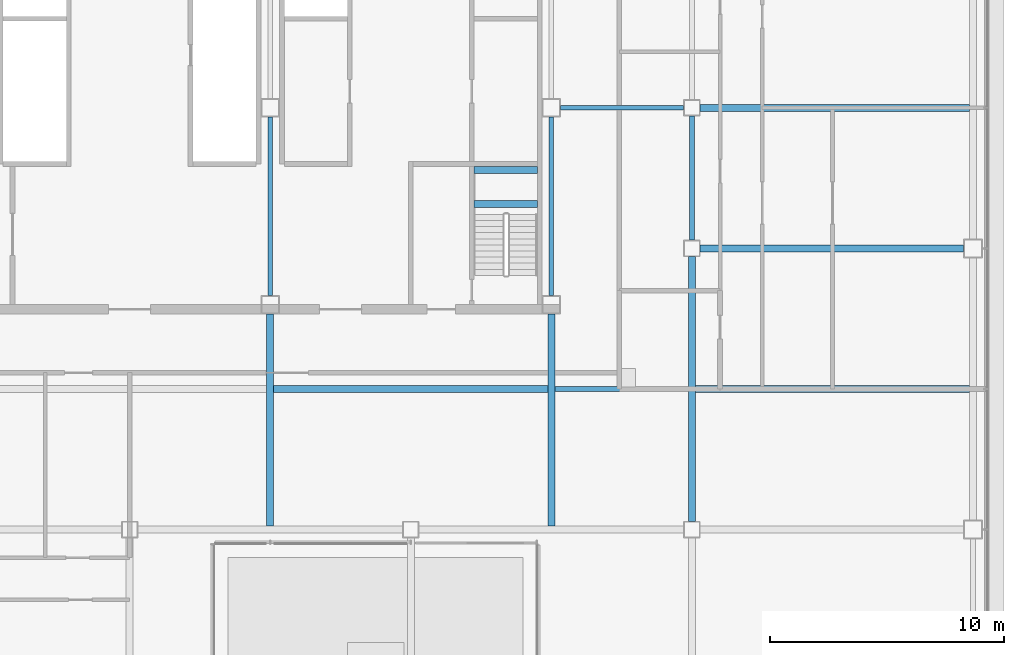
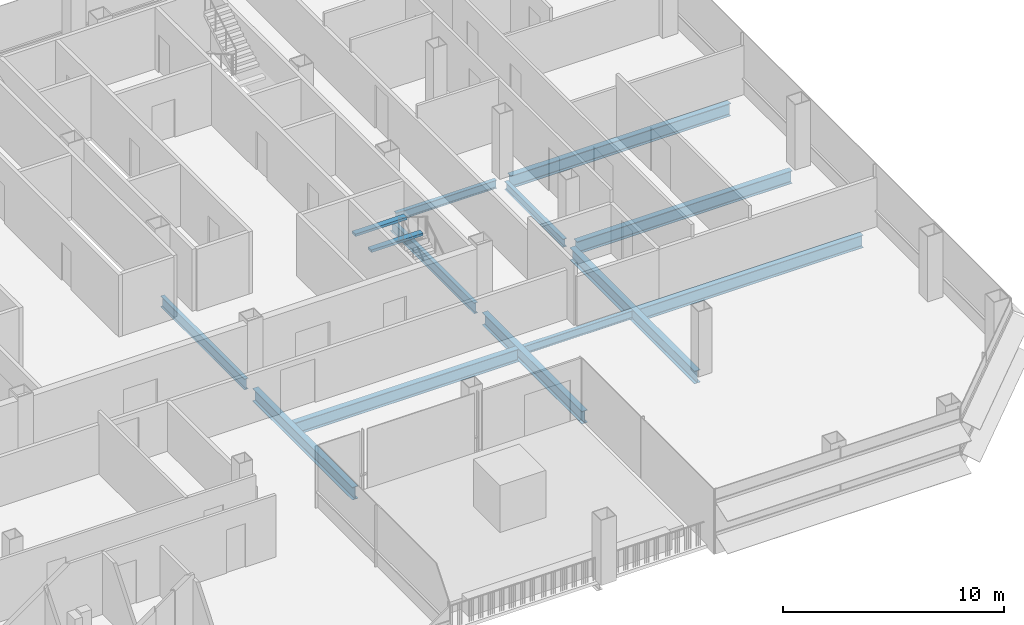
# One storey, part 9 of 26: 14 beams.
"""IFC4 building model written with IfcOpenShell, lengths in metres."""

import ifcopenshell
import ifcopenshell.guid

model = None  # the IFC model being written
_history = None  # IfcOwnerHistory: only IFC2X3 demands one
_inside = {}  # id of a spatial element -> (the spatial element, [elements in it])
_under = {}  # id of a project, library or spatial element -> (it, [spatial elements below it])
_declared = {}  # id of a project -> (the project, [libraries it declares])
_typed = {}  # id of a type object -> (the type object, [elements of that type])
_made_of = {}  # id of a material, layer set ... -> (it, [elements and type objects made of it])


def new_model(schema):
    """Start an empty IFC model of exactly this schema.

    Asked for "IFC4X3", IfcOpenShell would pick the latest addendum, in which some entities
    have other attributes; the version numbers below select the first issue.
    IFC2X3 requires an IfcOwnerHistory on every rooted entity: one is made here for all.
    """
    global model, _history
    if schema == "IFC4X3":
        model = ifcopenshell.file(schema_version=(4, 3, 0, 0))
    else:
        model = ifcopenshell.file(schema=schema)
    _inside.clear()
    _under.clear()
    _declared.clear()
    _typed.clear()
    _made_of.clear()
    _history = None
    if model.schema == "IFC2X3":
        org = make("IfcOrganization", Name="unknown")
        user = make(
            "IfcPersonAndOrganization",
            ThePerson=make("IfcPerson", FamilyName="unknown"),
            TheOrganization=org,
        )
        app = make(
            "IfcApplication",
            ApplicationDeveloper=org,
            Version="unknown",
            ApplicationFullName="unknown",
            ApplicationIdentifier="unknown",
        )
        _history = make(
            "IfcOwnerHistory",
            OwningUser=user,
            OwningApplication=app,
            ChangeAction="ADDED",
            CreationDate=0,
        )
    return model


def make(cls, **values):
    """One entity of the class cls with the attributes given. An attribute that is None is left unset."""
    return model.create_entity(
        cls, **{name: value for name, value in values.items() if value is not None}
    )


def rooted(cls, **values):
    """An entity with a GlobalId (a new one), such as an element, a storey or a relation."""
    return make(cls, GlobalId=ifcopenshell.guid.new(), OwnerHistory=_history, **values)


def si_unit(unit_type, name, prefix=None):
    """IfcSIUnit, for example si_unit("LENGTHUNIT", "METRE", prefix="MILLI")."""
    return make("IfcSIUnit", UnitType=unit_type, Prefix=prefix, Name=name)


def assignment(units):
    """IfcUnitAssignment: the units of a project."""
    return None if units is None else make("IfcUnitAssignment", Units=units)


def point(xyz):
    """IfcCartesianPoint."""
    return None if xyz is None else make("IfcCartesianPoint", Coordinates=xyz)


def direction(xyz):
    """IfcDirection."""
    return None if xyz is None else make("IfcDirection", DirectionRatios=xyz)


def frame(location, z_axis=None, x_axis=None):
    """IfcAxis2Placement3D, a coordinate frame: its origin and axes. An axis left out is left unset."""
    return make(
        "IfcAxis2Placement3D",
        Location=point(location),
        Axis=direction(z_axis),
        RefDirection=direction(x_axis),
    )


def frame_2d(location, x_axis=None):
    """IfcAxis2Placement2D, a coordinate frame in the plane: its origin and x axis."""
    return make(
        "IfcAxis2Placement2D", Location=point(location), RefDirection=direction(x_axis)
    )


def origin():
    """The frame at (0, 0, 0) with its axes left unset."""
    return frame((0.0, 0.0, 0.0))


def origin_2d():
    """The frame at (0, 0) in the plane with its x axis left unset."""
    return frame_2d((0.0, 0.0))


def place(relative_to, where):
    """IfcLocalPlacement: puts the frame where relative to a parent placement (None: the world)."""
    return make(
        "IfcLocalPlacement", PlacementRelTo=relative_to, RelativePlacement=where
    )


def context(
    kind, dimensions, precision=None, world=None, true_north=None, identifier=None
):
    """IfcGeometricRepresentationContext, for example the 3D "Model" context."""
    return make(
        "IfcGeometricRepresentationContext",
        ContextIdentifier=identifier,
        ContextType=kind,
        CoordinateSpaceDimension=dimensions,
        Precision=precision,
        WorldCoordinateSystem=world,
        TrueNorth=true_north,
    )


def subcontext(parent, identifier, kind, view, scale=None):
    """IfcGeometricRepresentationSubContext, for example "Body" below "Model"."""
    return make(
        "IfcGeometricRepresentationSubContext",
        ContextIdentifier=identifier,
        ContextType=kind,
        ParentContext=parent,
        TargetScale=scale,
        TargetView=view,
    )


def project(units=None, contexts=None):
    """IfcProject with its units and contexts."""
    return rooted(
        "IfcProject",
        Name="project",
        RepresentationContexts=contexts,
        UnitsInContext=assignment(units),
    )


def spatial(cls, under=None, at=None, **own):
    """A site, building, storey or space (cls), placed at a placement, below another one or the project."""
    s = rooted(cls, ObjectPlacement=at, **own)
    if under is not None:
        _under.setdefault(under.id(), (under, []))[1].append(s)
    return s


def profile(cls, at=None, kind="AREA", **sizes):
    """A parametric profile (cls). Its sizes go by their IFC names, for example OverallWidth=200.0."""
    return make(cls, ProfileType=kind, Position=at, **sizes)


def rectangle(**sizes):
    """IfcRectangleProfileDef."""
    return profile("IfcRectangleProfileDef", **sizes)


def i_section(**sizes):
    """IfcIShapeProfileDef."""
    return profile("IfcIShapeProfileDef", **sizes)


def extrude(swept, where, along, depth):
    """IfcExtrudedAreaSolid: the profile swept, set in the frame where, extruded along a direction by depth."""
    return make(
        "IfcExtrudedAreaSolid",
        SweptArea=swept,
        Position=where,
        ExtrudedDirection=direction(along),
        Depth=depth,
    )


def shape(context_of_items, identifier, shape_type, items):
    """IfcShapeRepresentation: the items that make up one representation, for example the "Body"."""
    return make(
        "IfcShapeRepresentation",
        ContextOfItems=context_of_items,
        RepresentationIdentifier=identifier,
        RepresentationType=shape_type,
        Items=items,
    )


def material(Name=None, Category=None):
    """IfcMaterial."""
    return make("IfcMaterial", Name=Name, Category=Category)


def material_profile(
    of_material, cross_section, Name=None, Category=None, Priority=None
):
    """IfcMaterialProfile: a cross section and its material."""
    return make(
        "IfcMaterialProfile",
        Name=Name,
        Material=of_material,
        Profile=cross_section,
        Priority=Priority,
        Category=Category,
    )


def profile_set(profiles, Name=None, composite=None):
    """IfcMaterialProfileSet."""
    return make(
        "IfcMaterialProfileSet",
        Name=Name,
        MaterialProfiles=profiles,
        CompositeProfile=composite,
    )


def made_of(thing, what):
    """Note that an element or type object is made of a material, layer set ...; save() writes the relation."""
    if what is not None:
        _made_of.setdefault(what.id(), (what, []))[1].append(thing)
    return thing


def type_object(cls, material=None, **own):
    """A type object (cls), such as IfcWallType, which elements share."""
    return made_of(rooted(cls, **own), material)


def element(
    cls,
    number,
    at=None,
    inside=None,
    cuts=None,
    type_object=None,
    material=None,
    context=None,
    identifier="Body",
    shape_type=None,
    held_by="IfcProductDefinitionShape",
    body=None,
    shapes=None,
    **own,
):
    """One element of the class cls, such as IfcWall. Its Tag is "e" and its number.

    at: its placement. inside: the storey or other place that contains it. cuts: it is an
    opening in that element (IfcRelVoidsElement). A single representation is given by context,
    identifier, shape_type and body (its items); several are given by shapes. held_by: the class
    of the entity that holds the representations. save() writes the other relations.
    """
    e = rooted(cls, Tag="e%d" % number, ObjectPlacement=at, **own)
    if body is not None:
        shapes = [shape(context, identifier, shape_type, body)]
    if shapes is not None:
        e.Representation = make(held_by, Representations=shapes)
    if inside is not None:
        _inside.setdefault(inside.id(), (inside, []))[1].append(e)
    if cuts is not None:
        rooted(
            "IfcRelVoidsElement", RelatingBuildingElement=cuts, RelatedOpeningElement=e
        )
    if type_object is not None:
        _typed.setdefault(type_object.id(), (type_object, []))[1].append(e)
    return made_of(e, material)


def aggregate(whole, parts):
    """IfcRelAggregates: a whole, such as a stair, and the parts it consists of."""
    return rooted("IfcRelAggregates", RelatingObject=whole, RelatedObjects=parts)


def save(model, path):
    """Write the relations noted so far, then the file.

    IfcRelAggregates (storeys below a building ...), IfcRelContainedInSpatialStructure (elements
    in a storey), IfcRelDefinesByType, IfcRelAssociatesMaterial and IfcRelDeclares: one each for
    every whole, place, type object, material and project.
    """
    for whole, parts in _under.values():
        aggregate(whole, parts)
    for where, things in _inside.values():
        rooted(
            "IfcRelContainedInSpatialStructure",
            RelatedElements=things,
            RelatingStructure=where,
        )
    for kind, things in _typed.values():
        rooted("IfcRelDefinesByType", RelatedObjects=things, RelatingType=kind)
    for what, things in _made_of.values():
        rooted("IfcRelAssociatesMaterial", RelatedObjects=things, RelatingMaterial=what)
    for by, libraries in _declared.values():
        rooted("IfcRelDeclares", RelatingContext=by, RelatedDefinitions=libraries)
    model.write(path)


model = new_model("IFC4")

# Units and contexts
model_context = context("Model", 3, precision=1e-05, world=origin(), true_north=direction((0.0, 1.0)))
body_context = subcontext(model_context, "Body", "Model", "MODEL_VIEW")
ifc_project = project(units=[si_unit("LENGTHUNIT", "METRE"), si_unit("AREAUNIT", "SQUARE_METRE"), si_unit("VOLUMEUNIT", "CUBIC_METRE"), si_unit("PLANEANGLEUNIT", "RADIAN"), si_unit("MASSUNIT", "GRAM", prefix="KILO")], contexts=[model_context])

# Site, building, storey
site_placement = place(None, origin())
site = spatial("IfcSite", under=ifc_project, at=site_placement, CompositionType="ELEMENT")
building_placement = place(site_placement, origin())
building = spatial("IfcBuilding", under=site, at=building_placement, Name="Sorahane Residences", CompositionType="ELEMENT")
storey_placement = place(building_placement, frame((0.0, 0.0, 103.39990234375)))
storey = spatial("IfcBuildingStorey", under=building, at=storey_placement, Name="L22", CompositionType="ELEMENT", Elevation=103.39990234375)

# Beams
ifc_material_1 = material(Name="Concrete C40", Category="concrete")
ifc_material_profile_1 = material_profile(ifc_material_1, rectangle(XDim=0.300048828125, YDim=0.139892578125, at=origin_2d()), Name="300x140")
ifc_profile_set_1 = profile_set([ifc_material_profile_1], Name="Concrete C40")
beam_type_1 = type_object("IfcBeamType", Name="RC landing beam 300 x 140 Concrete C40", PredefinedType="BEAM", material=ifc_profile_set_1)
for number, where, z_axis, x_axis, name in (
    (1, (38.699951171875, 25.89990234375, 1.530029296875), (1.0, 0.0, 0.0), (0.0, 1.0, 0.0), "Landing beam"),
    (2, (38.699951171875, 27.35009765625, 1.530029296875), (1.0, 0.0, 0.0), (0.0, 1.0, 0.0), "Landing beam"),
):
    element("IfcBeam", number, at=place(storey_placement, frame(where, z_axis=z_axis, x_axis=x_axis)), inside=storey, type_object=beam_type_1, Name=name, PredefinedType="BEAM", context=body_context, shape_type="SweptSolid", body=[
        extrude(rectangle(XDim=0.300048828125, YDim=0.139892578125, at=origin_2d()), origin(), (0.0, 0.0, 1.0), 2.699951171875),
    ])
ifc_material_2 = material(Name="Steel Q355B", Category="steel")
ifc_material_profile_2 = material_profile(ifc_material_2, i_section(OverallWidth=0.199951171875, OverallDepth=0.449951171875, WebThickness=0.009033203125, FlangeThickness=0.013916015625, FilletRadius=0.02001953125, at=origin_2d()), Name="HN 450x200x9x14")
ifc_profile_set_2 = profile_set([ifc_material_profile_2], Name="Steel Q355B")
beam_type_2 = type_object("IfcBeamType", Name="Steel floor beam HN 450x200x9x14 Q355B", PredefinedType="BEAM", material=ifc_profile_set_2)
beam_1_placement = place(storey_placement, frame((48.0, 24.35009765625, -0.40478515625), z_axis=(0.0, 1.0, 0.0), x_axis=(-1.0, 0.0, 0.0)))
element("IfcBeam", 3, at=beam_1_placement, inside=storey, type_object=beam_type_2, Name="Beam L22 057", PredefinedType="BEAM", context=body_context, shape_type="SweptSolid", body=[
    extrude(i_section(OverallWidth=0.199951171875, OverallDepth=0.449951171875, WebThickness=0.009033203125, FlangeThickness=0.013916015625, FilletRadius=0.02001953125, at=origin_2d()), origin(), (0.0, 0.0, 1.0), 5.2998046875),
])
beam_2_placement = place(storey_placement, frame((42.14990234375, 18.0, -0.40478515625), z_axis=(1.0, 0.0, 0.0), x_axis=(0.0, 1.0, 0.0)))
element("IfcBeam", 4, at=beam_2_placement, inside=storey, type_object=beam_type_2, Name="Beam L22 078", PredefinedType="BEAM", context=body_context, shape_type="SweptSolid", body=[
    extrude(i_section(OverallWidth=0.199951171875, OverallDepth=0.449951171875, WebThickness=0.009033203125, FlangeThickness=0.013916015625, FilletRadius=0.02001953125, at=origin_2d()), origin(), (0.0, 0.0, 1.0), 5.7001953125),
])
beam_3_placement = place(storey_placement, frame((42.39990234375, 30.0, -0.40478515625), z_axis=(1.0, 0.0, 0.0), x_axis=(0.0, 1.0, 0.0)))
element("IfcBeam", 5, at=beam_3_placement, inside=storey, type_object=beam_type_2, Name="Beam L22 082", PredefinedType="BEAM", context=body_context, shape_type="SweptSolid", body=[
    extrude(i_section(OverallWidth=0.199951171875, OverallDepth=0.449951171875, WebThickness=0.009033203125, FlangeThickness=0.013916015625, FilletRadius=0.02001953125, at=origin_2d()), origin(), (0.0, 0.0, 1.0), 5.25),
])
ifc_material_3 = material(Name="Steel Q355B", Category="steel")
ifc_material_profile_3 = material_profile(ifc_material_3, i_section(OverallWidth=0.199951171875, OverallDepth=0.60009765625, WebThickness=0.010986328125, FlangeThickness=0.01708984375, FilletRadius=0.02392578125, at=origin_2d()), Name="HN 600x200x11x17")
ifc_profile_set_3 = profile_set([ifc_material_profile_3], Name="Steel Q355B")
beam_type_3 = type_object("IfcBeamType", Name="Steel floor beam HN 600x200x11x17 Q355B", PredefinedType="BEAM", material=ifc_profile_set_3)
for number, where, z_axis, x_axis, name in (
    (6, (30.0, 22.0, -0.47998046875), (0.0, 1.0, 0.0), (-1.0, 0.0, 0.0), "Beam L22 044"),
    (7, (42.0, 22.0, -0.47998046875), (0.0, 1.0, 0.0), (-1.0, 0.0, 0.0), "Beam L22 051"),
):
    element("IfcBeam", number, at=place(storey_placement, frame(where, z_axis=z_axis, x_axis=x_axis)), inside=storey, type_object=beam_type_3, Name=name, PredefinedType="BEAM", context=body_context, shape_type="SweptSolid", body=[
        extrude(i_section(OverallWidth=0.199951171875, OverallDepth=0.60009765625, WebThickness=0.010986328125, FlangeThickness=0.01708984375, FilletRadius=0.02392578125, at=origin_2d()), origin(), (0.0, 0.0, 1.0), 7.60009765625),
    ])
ifc_material_4 = material(Name="Steel Q355B", Category="steel")
ifc_material_profile_4 = material_profile(ifc_material_4, i_section(OverallWidth=0.300048828125, OverallDepth=0.699951171875, WebThickness=0.012939453125, FlangeThickness=0.02392578125, FilletRadius=0.028076171875, at=origin_2d()), Name="HN 700x300x13x24")
ifc_profile_set_4 = profile_set([ifc_material_profile_4], Name="Steel Q355B")
beam_type_4 = type_object("IfcBeamType", Name="Steel floor beam HN 700x300x13x24 Q355B", PredefinedType="BEAM", material=ifc_profile_set_4)
beam_4_placement = place(storey_placement, frame((48.35009765625, 24.0, -0.52978515625), z_axis=(1.0, 0.0, 0.0), x_axis=(0.0, 1.0, 0.0)))
element("IfcBeam", 8, at=beam_4_placement, inside=storey, type_object=beam_type_4, Name="Beam L22 011", PredefinedType="BEAM", context=body_context, shape_type="SweptSolid", body=[
    extrude(i_section(OverallWidth=0.300048828125, OverallDepth=0.699951171875, WebThickness=0.012939453125, FlangeThickness=0.02392578125, FilletRadius=0.028076171875, at=origin_2d()), origin(), (0.0, 0.0, 1.0), 11.25),
])
for number, where, z_axis, x_axis, name in (
    (9, (30.0, 12.14990234375, -0.52978515625), (0.0, 1.0, 0.0), (-1.0, 0.0, 0.0), "Beam L22 043"),
    (10, (42.0, 12.14990234375, -0.52978515625), (0.0, 1.0, 0.0), (-1.0, 0.0, 0.0), "Beam L22 050"),
):
    element("IfcBeam", number, at=place(storey_placement, frame(where, z_axis=z_axis, x_axis=x_axis)), inside=storey, type_object=beam_type_4, Name=name, PredefinedType="BEAM", context=body_context, shape_type="SweptSolid", body=[
        extrude(i_section(OverallWidth=0.300048828125, OverallDepth=0.699951171875, WebThickness=0.012939453125, FlangeThickness=0.02392578125, FilletRadius=0.028076171875, at=origin_2d()), origin(), (0.0, 0.0, 1.0), 9.050048828125),
    ])
beam_5_placement = place(storey_placement, frame((48.0, 12.35009765625, -0.52978515625), z_axis=(0.0, 1.0, 0.0), x_axis=(-1.0, 0.0, 0.0)))
element("IfcBeam", 11, at=beam_5_placement, inside=storey, type_object=beam_type_4, Name="Beam L22 056", PredefinedType="BEAM", context=body_context, shape_type="SweptSolid", body=[
    extrude(i_section(OverallWidth=0.300048828125, OverallDepth=0.699951171875, WebThickness=0.012939453125, FlangeThickness=0.02392578125, FilletRadius=0.028076171875, at=origin_2d()), origin(), (0.0, 0.0, 1.0), 11.2998046875),
])
for number, where, z_axis, x_axis, name in (
    (12, (30.14990234375, 18.0, -0.52978515625), (1.0, 0.0, 0.0), (0.0, 1.0, 0.0), "Beam L22 077"),
    (13, (48.14990234375, 18.0, -0.52978515625), (1.0, 0.0, 0.0), (0.0, 1.0, 0.0), "Beam L22 079"),
):
    element("IfcBeam", number, at=place(storey_placement, frame(where, z_axis=z_axis, x_axis=x_axis)), inside=storey, type_object=beam_type_4, Name=name, PredefinedType="BEAM", context=body_context, shape_type="SweptSolid", body=[
        extrude(i_section(OverallWidth=0.300048828125, OverallDepth=0.699951171875, WebThickness=0.012939453125, FlangeThickness=0.02392578125, FilletRadius=0.028076171875, at=origin_2d()), origin(), (0.0, 0.0, 1.0), 11.7001953125),
    ])
beam_6_placement = place(storey_placement, frame((48.35009765625, 30.0, -0.52978515625), z_axis=(1.0, 0.0, 0.0), x_axis=(0.0, 1.0, 0.0)))
element("IfcBeam", 14, at=beam_6_placement, inside=storey, type_object=beam_type_4, Name="Beam L22 083", PredefinedType="BEAM", context=body_context, shape_type="SweptSolid", body=[
    extrude(i_section(OverallWidth=0.300048828125, OverallDepth=0.699951171875, WebThickness=0.012939453125, FlangeThickness=0.02392578125, FilletRadius=0.028076171875, at=origin_2d()), origin(), (0.0, 0.0, 1.0), 11.5),
])

save(model, "model.ifc")
